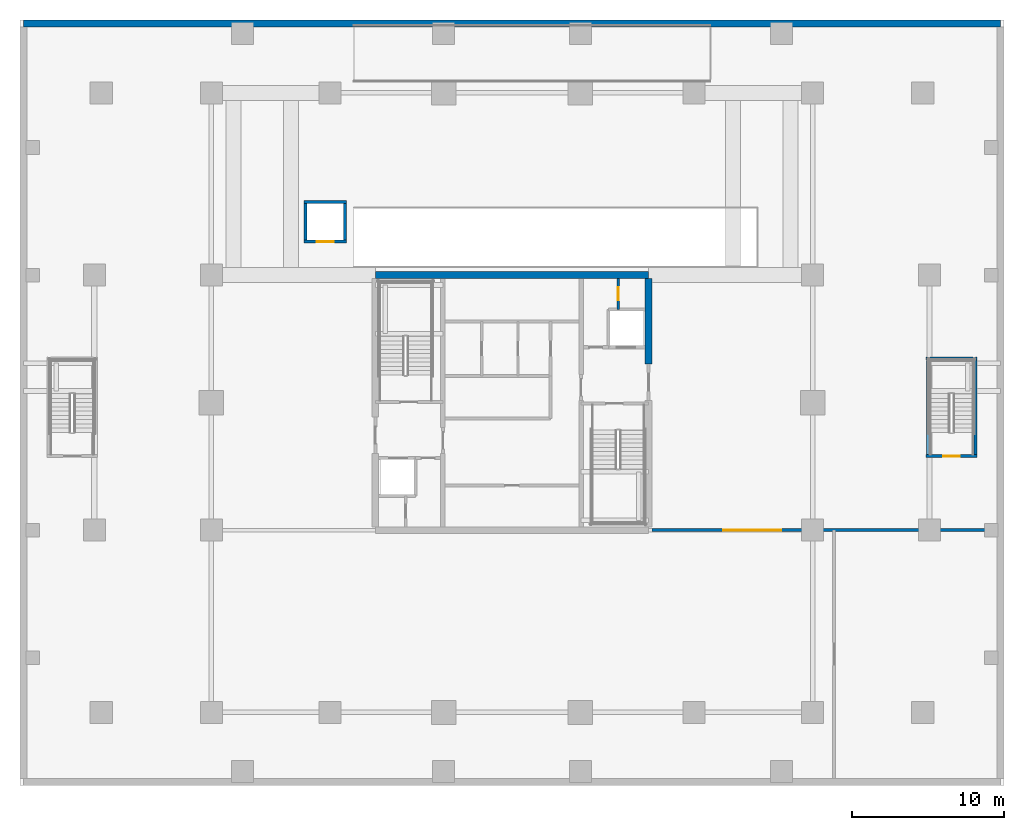
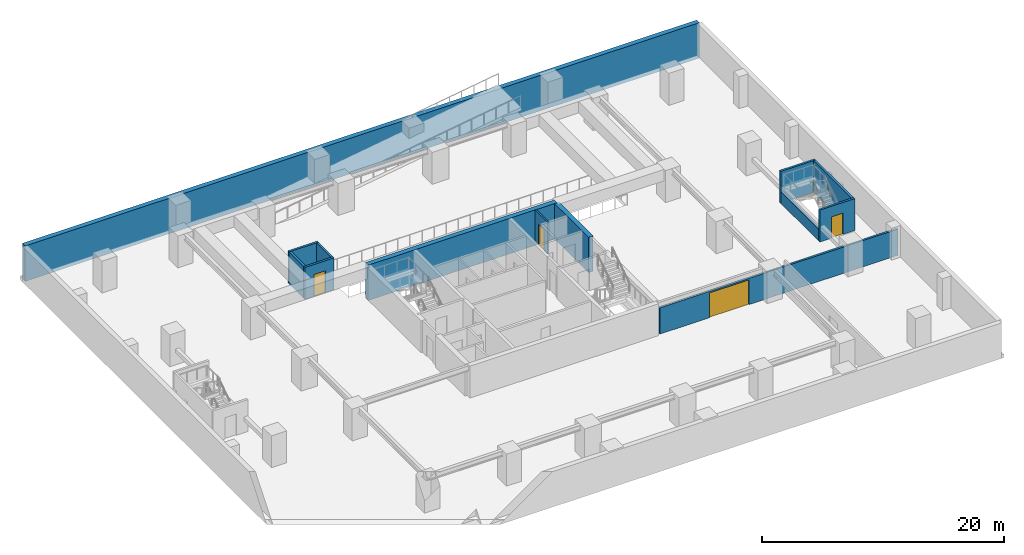
# One storey, part 4 of 10: 13 walls, 4 doors, 4 openings.
"""IFC4 building model written with IfcOpenShell, lengths in metres."""

from ifc_helpers import new_model, si_unit, direction, frame, frame_2d, origin, place, context, subcontext, project, spatial, rectangle, extrude, source, transform, mapped, material, layer, layer_set, type_object, element, fill, save


model = new_model("IFC4")

# Units and contexts
model_context = context("Model", 3, precision=1e-05, world=origin(), true_north=direction((0.0, 1.0)))
body_context = subcontext(model_context, "Body", "Model", "MODEL_VIEW")
ifc_project = project(units=[si_unit("LENGTHUNIT", "METRE"), si_unit("AREAUNIT", "SQUARE_METRE"), si_unit("VOLUMEUNIT", "CUBIC_METRE"), si_unit("PLANEANGLEUNIT", "RADIAN"), si_unit("MASSUNIT", "GRAM", prefix="KILO")], contexts=[model_context])

# Site, building, storey
site_placement = place(None, origin())
site = spatial("IfcSite", under=ifc_project, at=site_placement, CompositionType="ELEMENT")
building_placement = place(site_placement, origin())
building = spatial("IfcBuilding", under=site, at=building_placement, Name="Serunith Strait Residences", CompositionType="ELEMENT")
storey_placement = place(building_placement, frame((0.0, 0.0, -3.60009765625)))
storey = spatial("IfcBuildingStorey", under=building, at=storey_placement, Name="B01", CompositionType="ELEMENT", Elevation=-3.60009765625)

# Wall, opening, door
ifc_material_1 = material(Name="Fire-rated masonry service closet wall", Category="masonry")
ifc_layer_1 = layer(ifc_material_1, 0.14990234375, Name="Fire-rated masonry service closet wall")
ifc_layer_set_1 = layer_set([ifc_layer_1], Name="Fire-rated masonry service closet wall")
wall_type_1 = type_object("IfcWallType", Name="IW-BOH-150", PredefinedType="PARTITIONING", material=ifc_layer_set_1)
wall_1_placement = place(storey_placement, frame((39.39990234375, 31.35009765625, 0.0), z_axis=(0.0, 0.0, 1.0), x_axis=(0.0, 1.0, 0.0)))
wall_1 = element("IfcWall", 1, at=wall_1_placement, inside=storey, type_object=wall_type_1, Name="B01 Partition Wall 017", PredefinedType="PARTITIONING", context=body_context, shape_type="SweptSolid", body=[
    extrude(rectangle(XDim=2.02490234375, YDim=0.14990234375, at=frame_2d((1.012451171875, 0.0))), origin(), (0.0, 0.0, 1.0), 3.22021484375),
])
opening_1_placement = place(wall_1_placement, frame((0.5869140625, 0.0, 0.0)))
opening_1 = element("IfcOpeningElement", 2, at=opening_1_placement, cuts=wall_1, Name="Opening FD-850", PredefinedType="OPENING", context=body_context, shape_type="SweptSolid", body=[
    extrude(rectangle(XDim=0.85009765625, YDim=2.10009765625, at=frame_2d((0.425048828125, 1.050048828125))), frame((0.0, 0.0849609375, 0.0), z_axis=(0.0, -1.0, 0.0), x_axis=(1.0, 0.0, 0.0)), (0.0, 0.0, 1.0), 0.169921875),
])
ifc_material_2 = material(Name="Powder-coated steel service closet door", Category="steel")
door_type_1 = type_object("IfcDoorType", Name="FD-BOH-850", OperationType="NOTDEFINED", PredefinedType="DOOR", material=ifc_material_2)
shared_shape_1 = source(origin(), body_context, "Body", "SweptSolid", [
    extrude(rectangle(XDim=0.85009765625, YDim=2.10009765625, at=frame_2d((0.425048828125, 1.050048828125))), frame((0.0, 0.02490234375, 0.0), z_axis=(0.0, -1.0, 0.0), x_axis=(1.0, 0.0, 0.0)), (0.0, 0.0, 1.0), 0.050048828125),
])
door_1_placement = place(opening_1_placement, origin())
door_1 = element("IfcDoor", 3, at=door_1_placement, inside=storey, type_object=door_type_1, Name="B01 Janitor Store Door", OperationType="SINGLE_SWING_LEFT", OverallHeight=2.10009765625, OverallWidth=0.85009765625, PredefinedType="DOOR", context=body_context, shape_type="MappedRepresentation", body=[
    mapped(shared_shape_1, transform((0.0, 0.0, 0.0), scale=1.0)),
])
fill(opening_1, door_1)

ifc_material_3 = material(Name="Acoustic concrete block plant wall", Category="concrete")
ifc_layer_2 = layer(ifc_material_3, 0.199951171875, Name="Acoustic concrete block plant wall")
ifc_layer_set_2 = layer_set([ifc_layer_2], Name="Acoustic concrete block plant wall")
wall_type_2 = type_object("IfcWallType", Name="IW-PLANT-200", PredefinedType="STANDARD", material=ifc_layer_set_2)
wall_2_placement = place(storey_placement, frame((41.625, 16.800048828125, 0.0), z_axis=(0.0, 0.0, 1.0), x_axis=(1.0, 0.0, 0.0)))
wall_2 = element("IfcWall", 4, at=wall_2_placement, inside=storey, type_object=wall_type_2, Name="B01 Partition Wall 022", PredefinedType="STANDARD", context=body_context, shape_type="SweptSolid", body=[
    extrude(rectangle(XDim=22.72509765625, YDim=0.199951171875, at=frame_2d((11.362548828125, 0.0))), origin(), (0.0, 0.0, 1.0), 2.652099609375),
])
opening_2_placement = place(wall_2_placement, frame((4.697021484375, 0.0, 0.0)))
opening_2 = element("IfcOpeningElement", 5, at=opening_2_placement, cuts=wall_2, Name="Opening GT-3800", PredefinedType="OPENING", context=body_context, shape_type="SweptSolid", body=[
    extrude(rectangle(XDim=3.800048828125, YDim=2.5, at=frame_2d((1.89990234375, 1.25))), frame((0.0, 0.10986328125, 0.0), z_axis=(0.0, -1.0, 0.0), x_axis=(1.0, 0.0, 0.0)), (0.0, 0.0, 1.0), 0.219970703125),
])
ifc_material_4 = material(Name="Perforated galvanised steel roller shutter", Category="steel")
door_type_2 = type_object("IfcDoorType", Name="GATE-BSMT-3800", OperationType="ROLLINGUP", PredefinedType="GATE", material=ifc_material_4)
shared_shape_2 = source(origin(), body_context, "Body", "SweptSolid", [
    extrude(rectangle(XDim=3.800048828125, YDim=2.5, at=frame_2d((1.89990234375, 1.25))), frame((0.0, 0.02490234375, 0.0), z_axis=(0.0, -1.0, 0.0), x_axis=(1.0, 0.0, 0.0)), (0.0, 0.0, 1.0), 0.050048828125),
])
door_2_placement = place(opening_2_placement, origin())
door_2 = element("IfcDoor", 6, at=door_2_placement, inside=storey, type_object=door_type_2, Name="B01 Car-Park Compartment Roller Gate", OperationType="ROLLINGUP", OverallHeight=2.5, OverallWidth=3.800048828125, PredefinedType="GATE", context=body_context, shape_type="MappedRepresentation", body=[
    mapped(shared_shape_2, transform((0.0, 0.0, 0.0), scale=1.0)),
])
fill(opening_2, door_2)

ifc_material_5 = material(Name="Autoclaved aerated concrete blockwork", Category="masonry")
ifc_layer_3 = layer(ifc_material_5, 0.199951171875, Name="Autoclaved aerated concrete blockwork")
ifc_layer_set_3 = layer_set([ifc_layer_3], Name="Autoclaved aerated concrete blockwork")
wall_type_3 = type_object("IfcWallType", Name="IW-SHAFT-200", PredefinedType="STANDARD", material=ifc_layer_set_3)
wall_3_placement = place(storey_placement, frame((59.679931640625, 21.679931640625, 0.0), z_axis=(0.0, 0.0, 1.0), x_axis=(1.0, 0.0, 0.0)))
wall_3 = element("IfcWall", 7, at=wall_3_placement, inside=storey, type_object=wall_type_3, Name="B01 ST-6 South Shaft Wall", PredefinedType="STANDARD", context=body_context, shape_type="SweptSolid", body=[
    extrude(rectangle(XDim=3.340087890625, YDim=0.199951171875, at=frame_2d((1.669921875, 0.0))), origin(), (0.0, 0.0, 1.0), 3.22021484375),
])
opening_3_placement = place(wall_3_placement, frame((1.1201171875, 0.0, 0.0)))
opening_3 = element("IfcOpeningElement", 8, at=opening_3_placement, cuts=wall_3, Name="Opening FD-1100", PredefinedType="OPENING", context=body_context, shape_type="SweptSolid", body=[
    extrude(rectangle(XDim=1.10009765625, YDim=2.14990234375, at=frame_2d((0.550048828125, 1.074951171875))), frame((0.0, 0.10986328125, 0.0), z_axis=(0.0, -1.0, 0.0), x_axis=(1.0, 0.0, 0.0)), (0.0, 0.0, 1.0), 0.219970703125),
])
ifc_material_6 = material(Name="Galvanised steel fire door leaf", Category="steel")
door_type_3 = type_object("IfcDoorType", Name="FD-STAIR-1100", OperationType="NOTDEFINED", PredefinedType="DOOR", material=ifc_material_6)
shared_shape_3 = source(origin(), body_context, "Body", "SweptSolid", [
    extrude(rectangle(XDim=1.10009765625, YDim=2.14990234375, at=frame_2d((0.550048828125, 1.074951171875))), frame((0.0, 0.02490234375, 0.0), z_axis=(0.0, -1.0, 0.0), x_axis=(1.0, 0.0, 0.0)), (0.0, 0.0, 1.0), 0.050048828125),
])
door_3_placement = place(opening_3_placement, origin())
door_3 = element("IfcDoor", 9, at=door_3_placement, inside=storey, type_object=door_type_3, Name="B01 ST-6 Escape Stair Door", OperationType="SINGLE_SWING_LEFT", OverallHeight=2.14990234375, OverallWidth=1.10009765625, PredefinedType="DOOR", context=body_context, shape_type="MappedRepresentation", body=[
    mapped(shared_shape_3, transform((0.0, 0.0, 0.0), scale=1.0)),
])
fill(opening_3, door_3)

# Walls
wall_4_placement = place(storey_placement, frame((59.679931640625, 28.1201171875, 0.0), z_axis=(0.0, 0.0, 1.0), x_axis=(1.0, 0.0, 0.0)))
element("IfcWall", 10, at=wall_4_placement, inside=storey, type_object=wall_type_3, Name="B01 ST-6 North Shaft Wall", PredefinedType="STANDARD", context=body_context, shape_type="SweptSolid", body=[
    extrude(rectangle(XDim=3.340087890625, YDim=0.199951171875, at=frame_2d((1.669921875, 0.0))), origin(), (0.0, 0.0, 1.0), 3.22021484375),
])
wall_5_placement = place(storey_placement, frame((59.780029296875, 21.780029296875, 0.0), z_axis=(0.0, 0.0, 1.0), x_axis=(0.0, 1.0, 0.0)))
element("IfcWall", 11, at=wall_5_placement, inside=storey, type_object=wall_type_3, Name="B01 ST-6 West Shaft Wall", PredefinedType="STANDARD", context=body_context, shape_type="SweptSolid", body=[
    extrude(rectangle(XDim=6.239990234375, YDim=0.199951171875, at=frame_2d((3.1201171875, 0.0))), origin(), (0.0, 0.0, 1.0), 1.18505859375),
])
wall_6_placement = place(storey_placement, frame((62.919921875, 21.780029296875, 0.0), z_axis=(0.0, 0.0, 1.0), x_axis=(0.0, 1.0, 0.0)))
element("IfcWall", 12, at=wall_6_placement, inside=storey, type_object=wall_type_3, Name="B01 ST-6 East Shaft Wall", PredefinedType="STANDARD", context=body_context, shape_type="SweptSolid", body=[
    extrude(rectangle(XDim=6.239990234375, YDim=0.199951171875, at=frame_2d((3.1201171875, 0.0))), origin(), (0.0, 0.0, 1.0), 3.22021484375),
])

# Wall, opening, door
wall_7_placement = place(storey_placement, frame((18.699951171875, 35.800048828125, 0.0), z_axis=(0.0, 0.0, 1.0), x_axis=(1.0, 0.0, 0.0)))
wall_7 = element("IfcWall", 13, at=wall_7_placement, inside=storey, type_object=wall_type_3, Name="B01 SV-1 South Shaft Wall", PredefinedType="STANDARD", context=body_context, shape_type="SweptSolid", body=[
    extrude(rectangle(XDim=2.800048828125, YDim=0.199951171875, at=frame_2d((1.39990234375, 0.0))), origin(), (0.0, 0.0, 1.0), 3.22021484375),
])
opening_4_placement = place(wall_7_placement, frame((0.85009765625, 0.0, 0.0)))
opening_4 = element("IfcOpeningElement", 14, at=opening_4_placement, cuts=wall_7, Name="Opening LD-1100", PredefinedType="OPENING", context=body_context, shape_type="SweptSolid", body=[
    extrude(rectangle(XDim=1.10009765625, YDim=2.199951171875, at=frame_2d((0.550048828125, 1.10009765625))), frame((0.0, 0.10986328125, 0.0), z_axis=(0.0, -1.0, 0.0), x_axis=(1.0, 0.0, 0.0)), (0.0, 0.0, 1.0), 0.219970703125),
])
ifc_material_7 = material(Name="Pale-champagne stainless landing door")
door_type_4 = type_object("IfcDoorType", Name="LD-LIFT-1100", OperationType="DOUBLE_DOOR_SLIDING", PredefinedType="DOOR", material=ifc_material_7)
shared_shape_4 = source(origin(), body_context, "Body", "SweptSolid", [
    extrude(rectangle(XDim=1.10009765625, YDim=2.199951171875, at=frame_2d((0.550048828125, 1.10009765625))), frame((0.0, 0.02490234375, 0.0), z_axis=(0.0, -1.0, 0.0), x_axis=(1.0, 0.0, 0.0)), (0.0, 0.0, 1.0), 0.050048828125),
])
door_4_placement = place(opening_4_placement, origin())
door_4 = element("IfcDoor", 15, at=door_4_placement, inside=storey, type_object=door_type_4, Name="B01 SV-1 Landing Door", OperationType="DOUBLE_DOOR_SLIDING", OverallHeight=2.199951171875, OverallWidth=1.10009765625, PredefinedType="DOOR", context=body_context, shape_type="MappedRepresentation", body=[
    mapped(shared_shape_4, transform((0.0, 0.0, 0.0), scale=1.0)),
])
fill(opening_4, door_4)

# Walls
for number, where, z_axis, x_axis, name in (
    (16, (18.800048828125, 35.89990234375, 0.0), (0.0, 0.0, 1.0), (0.0, 1.0, 0.0), "B01 SV-1 West Shaft Wall"),
    (17, (21.39990234375, 35.89990234375, 0.0), (0.0, 0.0, 1.0), (0.0, 1.0, 0.0), "B01 SV-1 East Shaft Wall"),
):
    element("IfcWall", number, at=place(storey_placement, frame(where, z_axis=z_axis, x_axis=x_axis)), inside=storey, type_object=wall_type_3, Name=name, PredefinedType="STANDARD", context=body_context, shape_type="SweptSolid", body=[
        extrude(rectangle(XDim=2.400146484375, YDim=0.199951171875, at=frame_2d((1.2001953125, 0.0))), origin(), (0.0, 0.0, 1.0), 3.22021484375),
    ])
wall_8_placement = place(storey_placement, frame((18.699951171875, 38.39990234375, 0.0), z_axis=(0.0, 0.0, 1.0), x_axis=(1.0, 0.0, 0.0)))
element("IfcWall", 18, at=wall_8_placement, inside=storey, type_object=wall_type_3, Name="B01 SV-1 North Shaft Wall", PredefinedType="STANDARD", context=body_context, shape_type="SweptSolid", body=[
    extrude(rectangle(XDim=2.800048828125, YDim=0.199951171875, at=frame_2d((1.39990234375, 0.0))), origin(), (0.0, 0.0, 1.0), 3.22021484375),
])
ifc_material_8 = material(Name="Concrete C50/60", Category="concrete")
ifc_layer_4 = layer(ifc_material_8, 0.449951171875, Name="Concrete C50/60")
ifc_layer_set_4 = layer_set([ifc_layer_4], Name="Concrete C50/60")
wall_type_4 = type_object("IfcWallType", Name="RW-450-C50", PredefinedType="USERDEFINED", material=ifc_layer_set_4)
wall_9_placement = place(storey_placement, frame((64.574951171875, 50.175048828125, -0.35986328125), z_axis=(0.0, 0.0, 1.0), x_axis=(-1.0, 0.0, 0.0)))
element("IfcWall", 19, at=wall_9_placement, inside=storey, type_object=wall_type_4, Name="B01 North Diaphragm Wall", ObjectType="RETAININGWALL", PredefinedType="USERDEFINED", context=body_context, shape_type="SweptSolid", body=[
    extrude(rectangle(XDim=64.349853515625, YDim=0.449951171875, at=frame_2d((32.1748046875, 0.0))), origin(), (0.0, 0.0, 1.0), 3.577880859375),
])
ifc_material_9 = material(Name="Concrete C80/95", Category="concrete")
ifc_layer_5 = layer(ifc_material_9, 0.449951171875, Name="Concrete C80/95")
ifc_layer_set_5 = layer_set([ifc_layer_5], Name="Concrete C80/95")
wall_type_5 = type_object("IfcWallType", Name="SW-450-C80", PredefinedType="SHEAR", material=ifc_layer_set_5)
wall_10_placement = place(storey_placement, frame((41.39990234375, 33.60009765625, -0.35986328125), z_axis=(0.0, 0.0, 1.0), x_axis=(-1.0, 0.0, 0.0)))
element("IfcWall", 20, at=wall_10_placement, inside=storey, type_object=wall_type_5, Name="B01 Core North Shear Wall", PredefinedType="SHEAR", context=body_context, shape_type="SweptSolid", body=[
    extrude(rectangle(XDim=18.0, YDim=0.449951171875, at=frame_2d((9.0, 0.0))), origin(), (0.0, 0.0, 1.0), 3.577880859375),
])
wall_11_placement = place(storey_placement, frame((41.39990234375, 27.75, -0.35986328125), z_axis=(0.0, 0.0, 1.0), x_axis=(0.0, 1.0, 0.0)))
element("IfcWall", 21, at=wall_11_placement, inside=storey, type_object=wall_type_5, Name="B01 Core East Shear Wall North Pier", PredefinedType="SHEAR", context=body_context, shape_type="SweptSolid", body=[
    extrude(rectangle(XDim=5.625, YDim=0.449951171875, at=frame_2d((2.8125, 0.0))), origin(), (0.0, 0.0, 1.0), 3.577880859375),
])

save(model, "model.ifc")
